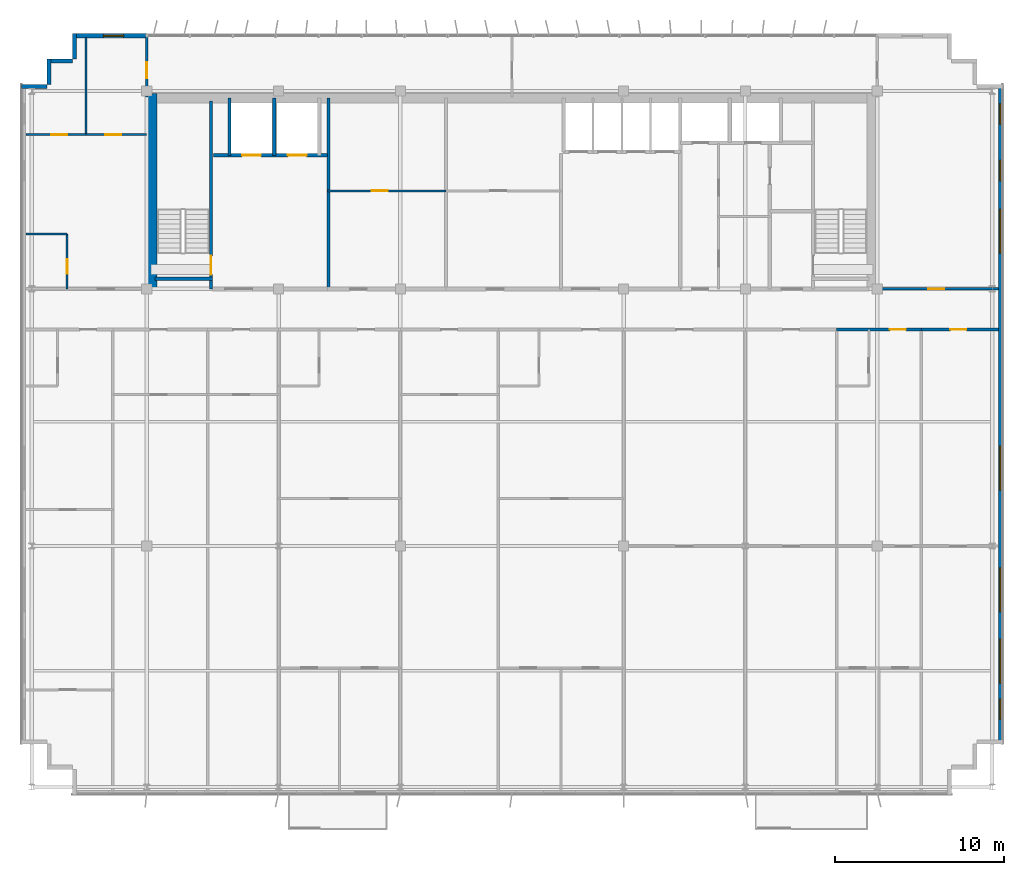
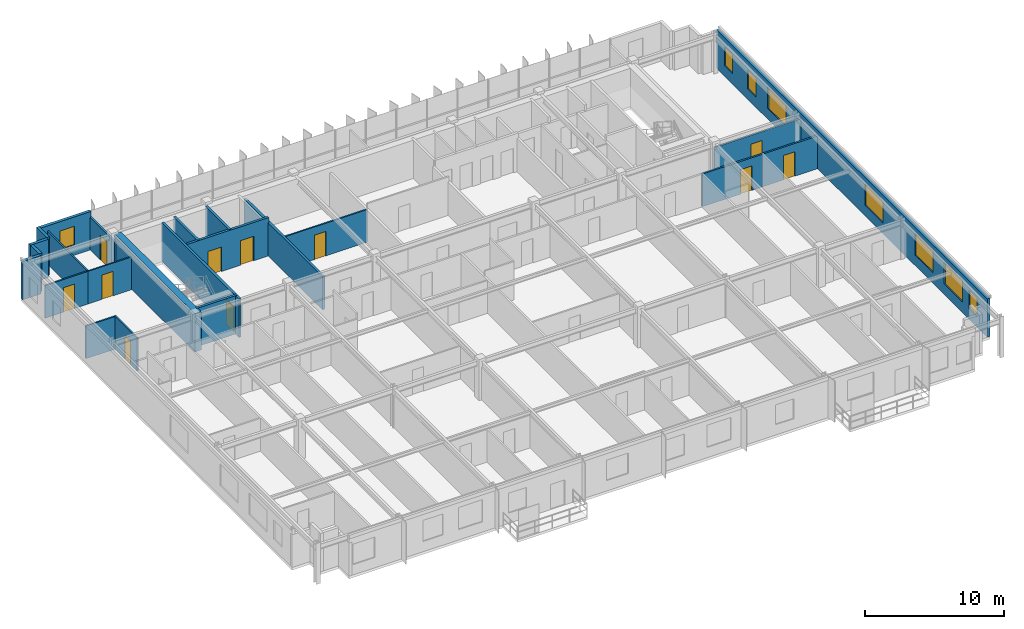
# One storey, part 19 of 23: 23 walls, 11 doors, 8 windows, 19 openings.
"""IFC4 building model written with IfcOpenShell, lengths in metres."""

import ifcopenshell
import ifcopenshell.guid

model = None  # the IFC model being written
_history = None  # IfcOwnerHistory: only IFC2X3 demands one
_inside = {}  # id of a spatial element -> (the spatial element, [elements in it])
_under = {}  # id of a project, library or spatial element -> (it, [spatial elements below it])
_declared = {}  # id of a project -> (the project, [libraries it declares])
_typed = {}  # id of a type object -> (the type object, [elements of that type])
_made_of = {}  # id of a material, layer set ... -> (it, [elements and type objects made of it])


def new_model(schema):
    """Start an empty IFC model of exactly this schema.

    Asked for "IFC4X3", IfcOpenShell would pick the latest addendum, in which some entities
    have other attributes; the version numbers below select the first issue.
    IFC2X3 requires an IfcOwnerHistory on every rooted entity: one is made here for all.
    """
    global model, _history
    if schema == "IFC4X3":
        model = ifcopenshell.file(schema_version=(4, 3, 0, 0))
    else:
        model = ifcopenshell.file(schema=schema)
    _inside.clear()
    _under.clear()
    _declared.clear()
    _typed.clear()
    _made_of.clear()
    _history = None
    if model.schema == "IFC2X3":
        org = make("IfcOrganization", Name="unknown")
        user = make(
            "IfcPersonAndOrganization",
            ThePerson=make("IfcPerson", FamilyName="unknown"),
            TheOrganization=org,
        )
        app = make(
            "IfcApplication",
            ApplicationDeveloper=org,
            Version="unknown",
            ApplicationFullName="unknown",
            ApplicationIdentifier="unknown",
        )
        _history = make(
            "IfcOwnerHistory",
            OwningUser=user,
            OwningApplication=app,
            ChangeAction="ADDED",
            CreationDate=0,
        )
    return model


def make(cls, **values):
    """One entity of the class cls with the attributes given. An attribute that is None is left unset."""
    return model.create_entity(
        cls, **{name: value for name, value in values.items() if value is not None}
    )


def rooted(cls, **values):
    """An entity with a GlobalId (a new one), such as an element, a storey or a relation."""
    return make(cls, GlobalId=ifcopenshell.guid.new(), OwnerHistory=_history, **values)


def si_unit(unit_type, name, prefix=None):
    """IfcSIUnit, for example si_unit("LENGTHUNIT", "METRE", prefix="MILLI")."""
    return make("IfcSIUnit", UnitType=unit_type, Prefix=prefix, Name=name)


def assignment(units):
    """IfcUnitAssignment: the units of a project."""
    return None if units is None else make("IfcUnitAssignment", Units=units)


def point(xyz):
    """IfcCartesianPoint."""
    return None if xyz is None else make("IfcCartesianPoint", Coordinates=xyz)


def direction(xyz):
    """IfcDirection."""
    return None if xyz is None else make("IfcDirection", DirectionRatios=xyz)


def frame(location, z_axis=None, x_axis=None):
    """IfcAxis2Placement3D, a coordinate frame: its origin and axes. An axis left out is left unset."""
    return make(
        "IfcAxis2Placement3D",
        Location=point(location),
        Axis=direction(z_axis),
        RefDirection=direction(x_axis),
    )


def frame_2d(location, x_axis=None):
    """IfcAxis2Placement2D, a coordinate frame in the plane: its origin and x axis."""
    return make(
        "IfcAxis2Placement2D", Location=point(location), RefDirection=direction(x_axis)
    )


def origin():
    """The frame at (0, 0, 0) with its axes left unset."""
    return frame((0.0, 0.0, 0.0))


def place(relative_to, where):
    """IfcLocalPlacement: puts the frame where relative to a parent placement (None: the world)."""
    return make(
        "IfcLocalPlacement", PlacementRelTo=relative_to, RelativePlacement=where
    )


def context(
    kind, dimensions, precision=None, world=None, true_north=None, identifier=None
):
    """IfcGeometricRepresentationContext, for example the 3D "Model" context."""
    return make(
        "IfcGeometricRepresentationContext",
        ContextIdentifier=identifier,
        ContextType=kind,
        CoordinateSpaceDimension=dimensions,
        Precision=precision,
        WorldCoordinateSystem=world,
        TrueNorth=true_north,
    )


def subcontext(parent, identifier, kind, view, scale=None):
    """IfcGeometricRepresentationSubContext, for example "Body" below "Model"."""
    return make(
        "IfcGeometricRepresentationSubContext",
        ContextIdentifier=identifier,
        ContextType=kind,
        ParentContext=parent,
        TargetScale=scale,
        TargetView=view,
    )


def project(units=None, contexts=None):
    """IfcProject with its units and contexts."""
    return rooted(
        "IfcProject",
        Name="project",
        RepresentationContexts=contexts,
        UnitsInContext=assignment(units),
    )


def spatial(cls, under=None, at=None, **own):
    """A site, building, storey or space (cls), placed at a placement, below another one or the project."""
    s = rooted(cls, ObjectPlacement=at, **own)
    if under is not None:
        _under.setdefault(under.id(), (under, []))[1].append(s)
    return s


def profile(cls, at=None, kind="AREA", **sizes):
    """A parametric profile (cls). Its sizes go by their IFC names, for example OverallWidth=200.0."""
    return make(cls, ProfileType=kind, Position=at, **sizes)


def rectangle(**sizes):
    """IfcRectangleProfileDef."""
    return profile("IfcRectangleProfileDef", **sizes)


def extrude(swept, where, along, depth):
    """IfcExtrudedAreaSolid: the profile swept, set in the frame where, extruded along a direction by depth."""
    return make(
        "IfcExtrudedAreaSolid",
        SweptArea=swept,
        Position=where,
        ExtrudedDirection=direction(along),
        Depth=depth,
    )


def shape(context_of_items, identifier, shape_type, items):
    """IfcShapeRepresentation: the items that make up one representation, for example the "Body"."""
    return make(
        "IfcShapeRepresentation",
        ContextOfItems=context_of_items,
        RepresentationIdentifier=identifier,
        RepresentationType=shape_type,
        Items=items,
    )


def source(mapping_origin, context_of_items, identifier, shape_type, items):
    """IfcRepresentationMap: a shape defined once, which mapped items show again and again."""
    return make(
        "IfcRepresentationMap",
        MappingOrigin=mapping_origin,
        MappedRepresentation=shape(context_of_items, identifier, shape_type, items),
    )


def transform(
    local_origin,
    x_axis=None,
    y_axis=None,
    z_axis=None,
    scale=None,
    scale2=None,
    scale3=None,
    uniform=True,
):
    """IfcCartesianTransformationOperator3D, or its non-uniform kind. x_axis, y_axis, z_axis: its Axis1, 2, 3."""
    if uniform:
        return make(
            "IfcCartesianTransformationOperator3D",
            Axis1=direction(x_axis),
            Axis2=direction(y_axis),
            LocalOrigin=point(local_origin),
            Scale=scale,
            Axis3=direction(z_axis),
        )
    return make(
        "IfcCartesianTransformationOperator3DnonUniform",
        Axis1=direction(x_axis),
        Axis2=direction(y_axis),
        LocalOrigin=point(local_origin),
        Scale=scale,
        Axis3=direction(z_axis),
        Scale2=scale2,
        Scale3=scale3,
    )


def mapped(mapping_source, mapping_target):
    """IfcMappedItem: shows the shape of a source again, moved by a transform."""
    return make(
        "IfcMappedItem", MappingSource=mapping_source, MappingTarget=mapping_target
    )


def material(Name=None, Category=None):
    """IfcMaterial."""
    return make("IfcMaterial", Name=Name, Category=Category)


def layer(
    of_material, thickness, ventilated=None, Name=None, Category=None, Priority=None
):
    """IfcMaterialLayer: one layer of a wall or slab, of a material (None: an air gap)."""
    return make(
        "IfcMaterialLayer",
        Material=of_material,
        LayerThickness=thickness,
        IsVentilated=ventilated,
        Name=Name,
        Category=Category,
        Priority=Priority,
    )


def layer_set(layers, Name=None):
    """IfcMaterialLayerSet."""
    return make("IfcMaterialLayerSet", MaterialLayers=layers, LayerSetName=Name)


def made_of(thing, what):
    """Note that an element or type object is made of a material, layer set ...; save() writes the relation."""
    if what is not None:
        _made_of.setdefault(what.id(), (what, []))[1].append(thing)
    return thing


def type_object(cls, material=None, **own):
    """A type object (cls), such as IfcWallType, which elements share."""
    return made_of(rooted(cls, **own), material)


def element(
    cls,
    number,
    at=None,
    inside=None,
    cuts=None,
    type_object=None,
    material=None,
    context=None,
    identifier="Body",
    shape_type=None,
    held_by="IfcProductDefinitionShape",
    body=None,
    shapes=None,
    **own,
):
    """One element of the class cls, such as IfcWall. Its Tag is "e" and its number.

    at: its placement. inside: the storey or other place that contains it. cuts: it is an
    opening in that element (IfcRelVoidsElement). A single representation is given by context,
    identifier, shape_type and body (its items); several are given by shapes. held_by: the class
    of the entity that holds the representations. save() writes the other relations.
    """
    e = rooted(cls, Tag="e%d" % number, ObjectPlacement=at, **own)
    if body is not None:
        shapes = [shape(context, identifier, shape_type, body)]
    if shapes is not None:
        e.Representation = make(held_by, Representations=shapes)
    if inside is not None:
        _inside.setdefault(inside.id(), (inside, []))[1].append(e)
    if cuts is not None:
        rooted(
            "IfcRelVoidsElement", RelatingBuildingElement=cuts, RelatedOpeningElement=e
        )
    if type_object is not None:
        _typed.setdefault(type_object.id(), (type_object, []))[1].append(e)
    return made_of(e, material)


def fill(opening, filler):
    """IfcRelFillsElement: the door or window that sits in an opening."""
    return rooted(
        "IfcRelFillsElement",
        RelatingOpeningElement=opening,
        RelatedBuildingElement=filler,
    )


def aggregate(whole, parts):
    """IfcRelAggregates: a whole, such as a stair, and the parts it consists of."""
    return rooted("IfcRelAggregates", RelatingObject=whole, RelatedObjects=parts)


def save(model, path):
    """Write the relations noted so far, then the file.

    IfcRelAggregates (storeys below a building ...), IfcRelContainedInSpatialStructure (elements
    in a storey), IfcRelDefinesByType, IfcRelAssociatesMaterial and IfcRelDeclares: one each for
    every whole, place, type object, material and project.
    """
    for whole, parts in _under.values():
        aggregate(whole, parts)
    for where, things in _inside.values():
        rooted(
            "IfcRelContainedInSpatialStructure",
            RelatedElements=things,
            RelatingStructure=where,
        )
    for kind, things in _typed.values():
        rooted("IfcRelDefinesByType", RelatedObjects=things, RelatingType=kind)
    for what, things in _made_of.values():
        rooted("IfcRelAssociatesMaterial", RelatedObjects=things, RelatingMaterial=what)
    for by, libraries in _declared.values():
        rooted("IfcRelDeclares", RelatingContext=by, RelatedDefinitions=libraries)
    model.write(path)


model = new_model("IFC4")

# Units and contexts
model_context = context("Model", 3, precision=1e-05, world=origin(), true_north=direction((0.0, 1.0)))
body_context = subcontext(model_context, "Body", "Model", "MODEL_VIEW")
ifc_project = project(units=[si_unit("LENGTHUNIT", "METRE"), si_unit("AREAUNIT", "SQUARE_METRE"), si_unit("VOLUMEUNIT", "CUBIC_METRE"), si_unit("PLANEANGLEUNIT", "RADIAN"), si_unit("MASSUNIT", "GRAM", prefix="KILO")], contexts=[model_context])

# Site, building, storey
site_placement = place(None, origin())
site = spatial("IfcSite", under=ifc_project, at=site_placement, CompositionType="ELEMENT")
building_placement = place(site_placement, origin())
building = spatial("IfcBuilding", under=site, at=building_placement, Name="Trelvane Seafront Commons", CompositionType="ELEMENT")
storey_placement = place(building_placement, frame((0.0, 0.0, 263.10009765625)))
storey = spatial("IfcBuildingStorey", under=building, at=storey_placement, Name="L68", CompositionType="ELEMENT", Elevation=263.10009765625)

# Wall, opening, window
ifc_material_1 = material(Name="Precast concrete C40/50", Category="concrete")
ifc_layer_1 = layer(ifc_material_1, 0.239990234375, Name="ARCH-WALL-EXT240")
ifc_layer_set_1 = layer_set([ifc_layer_1], Name="Precast concrete C40/50")
wall_type_1 = type_object("IfcWallType", Name="ARCH-WALL-EXT240", PredefinedType="SOLIDWALL", material=ifc_layer_set_1)
wall_1_placement = place(storey_placement, frame((11.300048828125, 48.3701171875, 0.0), z_axis=(0.0, 0.0, 1.0), x_axis=(1.0, 0.0, 0.0)))
wall_1 = element("IfcWall", 1, at=wall_1_placement, inside=storey, type_object=wall_type_1, Name="EW-L68-NW-1361", PredefinedType="SOLIDWALL", context=body_context, shape_type="SweptSolid", body=[
    extrude(rectangle(XDim=4.300048828125, YDim=0.239990234375, at=frame_2d((2.14990234375, 0.0))), origin(), (0.0, 0.0, 1.0), 3.369873046875),
])
opening_1_placement = place(wall_1_placement, frame((1.73388671875, 0.0, 0.89990234375)))
opening_1 = element("IfcOpeningElement", 2, at=opening_1_placement, cuts=wall_1, Name="Opening W05", PredefinedType="OPENING", context=body_context, shape_type="SweptSolid", body=[
    extrude(rectangle(XDim=1.199951171875, YDim=1.64990234375, at=frame_2d((0.60009765625, 0.824951171875))), frame((0.0, 0.1298828125, 0.0), z_axis=(0.0, -1.0, 0.0), x_axis=(1.0, 0.0, 0.0)), (0.0, 0.0, 1.0), 0.260009765625),
])
ifc_material_2 = material(Name="Low-E coastal double glazing", Category="glass")
window_type_1 = type_object("IfcWindowType", Name="ARCH-WIN-W05", PartitioningType="SINGLE_PANEL", PredefinedType="WINDOW", material=ifc_material_2)
shared_shape_1 = source(origin(), body_context, "Body", "SweptSolid", [
    extrude(rectangle(XDim=1.199951171875, YDim=1.64990234375, at=frame_2d((0.60009765625, 0.824951171875))), frame((0.0, 0.030029296875, 0.0), z_axis=(0.0, -1.0, 0.0), x_axis=(1.0, 0.0, 0.0)), (0.0, 0.0, 1.0), 0.06005859375),
])
window_1_placement = place(opening_1_placement, origin())
window_1 = element("IfcWindow", 3, at=window_1_placement, inside=storey, type_object=window_type_1, Name="WIN-L68-01620", OverallHeight=1.64990234375, OverallWidth=1.199951171875, PartitioningType="SINGLE_PANEL", PredefinedType="WINDOW", context=body_context, shape_type="MappedRepresentation", body=[
    mapped(shared_shape_1, transform((0.0, 0.0, 0.0), x_axis=(1.0, 0.0, 0.0), y_axis=(0.0, 1.0, 0.0), z_axis=(0.0, 0.0, 1.0), scale=1.0)),
])
fill(opening_1, window_1)

# Walls
for number, where, z_axis, x_axis, name in (
    (4, (8.199951171875, 45.3798828125, 0.0), (0.0, 0.0, 1.0), (1.0, 0.0, 0.0), "EW-L68-01367"),
    (5, (9.820068359375, 45.5, 0.0), (0.0, 0.0, 1.0), (0.0, 1.0, 0.0), "EW-L68-01368"),
    (6, (9.699951171875, 46.8798828125, 0.0), (0.0, 0.0, 1.0), (1.0, 0.0, 0.0), "EW-L68-01369"),
    (7, (11.320068359375, 47.0, 0.0), (0.0, 0.0, 1.0), (0.0, 1.0, 0.0), "EW-L68-01370"),
):
    element("IfcWall", number, at=place(storey_placement, frame(where, z_axis=z_axis, x_axis=x_axis)), inside=storey, type_object=wall_type_1, Name=name, PredefinedType="SOLIDWALL", context=body_context, shape_type="SweptSolid", body=[
        extrude(rectangle(XDim=1.5, YDim=0.239990234375, at=frame_2d((0.75, 0.0))), origin(), (0.0, 0.0, 1.0), 3.369873046875),
    ])

# Wall, openings, windows
wall_2_placement = place(storey_placement, frame((66.080078125, 45.5, 0.0), z_axis=(0.0, 0.0, 1.0), x_axis=(0.0, -1.0, 0.0)))
wall_2 = element("IfcWall", 8, at=wall_2_placement, inside=storey, type_object=wall_type_1, Name="EW-L68-01375", PredefinedType="SOLIDWALL", context=body_context, shape_type="SweptSolid", body=[
    extrude(rectangle(XDim=39.0, YDim=0.239990234375, at=frame_2d((19.5, 0.0))), origin(), (0.0, 0.0, 1.0), 3.369873046875),
])
opening_2_placement = place(wall_2_placement, frame((36.35009765625, 0.0, 0.919921875)))
opening_2 = element("IfcOpeningElement", 9, at=opening_2_placement, cuts=wall_2, Name="Opening W05", PredefinedType="OPENING", context=body_context, shape_type="SweptSolid", body=[
    extrude(rectangle(XDim=1.199951171875, YDim=1.64990234375, at=frame_2d((0.60009765625, 0.824951171875))), frame((0.0, 0.1298828125, 0.0), z_axis=(0.0, -1.0, 0.0), x_axis=(1.0, 0.0, 0.0)), (0.0, 0.0, 1.0), 0.260009765625),
])
opening_3_placement = place(wall_2_placement, frame((32.800048828125, 0.0, 0.919921875)))
opening_3 = element("IfcOpeningElement", 10, at=opening_3_placement, cuts=wall_2, Name="Opening W04", PredefinedType="OPENING", context=body_context, shape_type="SweptSolid", body=[
    extrude(rectangle(XDim=2.60009765625, YDim=1.89990234375, at=frame_2d((1.300048828125, 0.949951171875))), frame((0.0, 0.1298828125, 0.0), z_axis=(0.0, -1.0, 0.0), x_axis=(1.0, 0.0, 0.0)), (0.0, 0.0, 1.0), 0.260009765625),
])
opening_4_placement = place(wall_2_placement, frame((28.60009765625, 0.0, 0.919921875)))
opening_4 = element("IfcOpeningElement", 11, at=opening_4_placement, cuts=wall_2, Name="Opening W04", PredefinedType="OPENING", context=body_context, shape_type="SweptSolid", body=[
    extrude(rectangle(XDim=2.60009765625, YDim=1.89990234375, at=frame_2d((1.300048828125, 0.949951171875))), frame((0.0, 0.1298828125, 0.0), z_axis=(0.0, -1.0, 0.0), x_axis=(1.0, 0.0, 0.0)), (0.0, 0.0, 1.0), 0.260009765625),
])
opening_5_placement = place(wall_2_placement, frame((21.39990234375, 0.0, 0.919921875)))
opening_5 = element("IfcOpeningElement", 12, at=opening_5_placement, cuts=wall_2, Name="Opening W04", PredefinedType="OPENING", context=body_context, shape_type="SweptSolid", body=[
    extrude(rectangle(XDim=2.60009765625, YDim=1.89990234375, at=frame_2d((1.300048828125, 0.949951171875))), frame((0.0, 0.1298828125, 0.0), z_axis=(0.0, -1.0, 0.0), x_axis=(1.0, 0.0, 0.0)), (0.0, 0.0, 1.0), 0.260009765625),
])
opening_6_placement = place(wall_2_placement, frame((7.39990234375, 0.0, 0.919921875)))
opening_6 = element("IfcOpeningElement", 13, at=opening_6_placement, cuts=wall_2, Name="Opening W04", PredefinedType="OPENING", context=body_context, shape_type="SweptSolid", body=[
    extrude(rectangle(XDim=2.60009765625, YDim=1.89990234375, at=frame_2d((1.300048828125, 0.949951171875))), frame((0.0, 0.1298828125, 0.0), z_axis=(0.0, -1.0, 0.0), x_axis=(1.0, 0.0, 0.0)), (0.0, 0.0, 1.0), 0.260009765625),
])
opening_7_placement = place(wall_2_placement, frame((4.5, 0.0, 0.919921875)))
opening_7 = element("IfcOpeningElement", 14, at=opening_7_placement, cuts=wall_2, Name="Opening W05", PredefinedType="OPENING", context=body_context, shape_type="SweptSolid", body=[
    extrude(rectangle(XDim=1.199951171875, YDim=1.64990234375, at=frame_2d((0.60009765625, 0.824951171875))), frame((0.0, 0.1298828125, 0.0), z_axis=(0.0, -1.0, 0.0), x_axis=(1.0, 0.0, 0.0)), (0.0, 0.0, 1.0), 0.260009765625),
])
opening_8_placement = place(wall_2_placement, frame((1.14990234375, 0.0, 0.919921875)))
opening_8 = element("IfcOpeningElement", 15, at=opening_8_placement, cuts=wall_2, Name="Opening W05", PredefinedType="OPENING", context=body_context, shape_type="SweptSolid", body=[
    extrude(rectangle(XDim=1.199951171875, YDim=1.64990234375, at=frame_2d((0.60009765625, 0.824951171875))), frame((0.0, 0.1298828125, 0.0), z_axis=(0.0, -1.0, 0.0), x_axis=(1.0, 0.0, 0.0)), (0.0, 0.0, 1.0), 0.260009765625),
])
window_type_2 = type_object("IfcWindowType", Name="ARCH-WIN-W04", PartitioningType="SINGLE_PANEL", PredefinedType="WINDOW", material=ifc_material_2)
shared_shape_2 = source(origin(), body_context, "Body", "SweptSolid", [
    extrude(rectangle(XDim=2.60009765625, YDim=1.89990234375, at=frame_2d((1.300048828125, 0.949951171875))), frame((0.0, 0.030029296875, 0.0), z_axis=(0.0, -1.0, 0.0), x_axis=(1.0, 0.0, 0.0)), (0.0, 0.0, 1.0), 0.06005859375),
])
window_2_placement = place(opening_3_placement, origin())
window_2 = element("IfcWindow", 16, at=window_2_placement, inside=storey, type_object=window_type_2, Name="WIN-L68-EW-01629", OverallHeight=1.89990234375, OverallWidth=2.60009765625, PartitioningType="SINGLE_PANEL", PredefinedType="WINDOW", context=body_context, shape_type="MappedRepresentation", body=[
    mapped(shared_shape_2, transform((0.0, 0.0, 0.0), x_axis=(1.0, 0.0, 0.0), y_axis=(0.0, 1.0, 0.0), z_axis=(0.0, 0.0, 1.0), scale=1.0)),
])
fill(opening_3, window_2)
window_3_placement = place(opening_4_placement, origin())
window_3 = element("IfcWindow", 17, at=window_3_placement, inside=storey, type_object=window_type_2, Name="WIN-L68-EW-01630", OverallHeight=1.89990234375, OverallWidth=2.60009765625, PartitioningType="SINGLE_PANEL", PredefinedType="WINDOW", context=body_context, shape_type="MappedRepresentation", body=[
    mapped(shared_shape_2, transform((0.0, 0.0, 0.0), x_axis=(1.0, 0.0, 0.0), y_axis=(0.0, 1.0, 0.0), z_axis=(0.0, 0.0, 1.0), scale=1.0)),
])
fill(opening_4, window_3)
window_4_placement = place(opening_5_placement, origin())
window_4 = element("IfcWindow", 18, at=window_4_placement, inside=storey, type_object=window_type_2, Name="WIN-L68-EW-01631", OverallHeight=1.89990234375, OverallWidth=2.60009765625, PartitioningType="SINGLE_PANEL", PredefinedType="WINDOW", context=body_context, shape_type="MappedRepresentation", body=[
    mapped(shared_shape_2, transform((0.0, 0.0, 0.0), x_axis=(1.0, 0.0, 0.0), y_axis=(0.0, 1.0, 0.0), z_axis=(0.0, 0.0, 1.0), scale=1.0)),
])
fill(opening_5, window_4)
window_5_placement = place(opening_6_placement, origin())
window_5 = element("IfcWindow", 19, at=window_5_placement, inside=storey, type_object=window_type_2, Name="WIN-L68-EW-01632", OverallHeight=1.89990234375, OverallWidth=2.60009765625, PartitioningType="SINGLE_PANEL", PredefinedType="WINDOW", context=body_context, shape_type="MappedRepresentation", body=[
    mapped(shared_shape_2, transform((0.0, 0.0, 0.0), x_axis=(1.0, 0.0, 0.0), y_axis=(0.0, 1.0, 0.0), z_axis=(0.0, 0.0, 1.0), scale=1.0)),
])
fill(opening_6, window_5)
window_6_placement = place(opening_2_placement, origin())
window_6 = element("IfcWindow", 20, at=window_6_placement, inside=storey, type_object=window_type_1, Name="WIN-L68-EW-01628", OverallHeight=1.64990234375, OverallWidth=1.199951171875, PartitioningType="SINGLE_PANEL", PredefinedType="WINDOW", context=body_context, shape_type="MappedRepresentation", body=[
    mapped(shared_shape_1, transform((0.0, 0.0, 0.0), x_axis=(1.0, 0.0, 0.0), y_axis=(0.0, 1.0, 0.0), z_axis=(0.0, 0.0, 1.0), scale=1.0)),
])
fill(opening_2, window_6)
window_7_placement = place(opening_7_placement, origin())
window_7 = element("IfcWindow", 21, at=window_7_placement, inside=storey, type_object=window_type_1, Name="WIN-L68-EW-01633", OverallHeight=1.64990234375, OverallWidth=1.199951171875, PartitioningType="SINGLE_PANEL", PredefinedType="WINDOW", context=body_context, shape_type="MappedRepresentation", body=[
    mapped(shared_shape_1, transform((0.0, 0.0, 0.0), x_axis=(1.0, 0.0, 0.0), y_axis=(0.0, 1.0, 0.0), z_axis=(0.0, 0.0, 1.0), scale=1.0)),
])
fill(opening_7, window_7)
window_8_placement = place(opening_8_placement, origin())
window_8 = element("IfcWindow", 22, at=window_8_placement, inside=storey, type_object=window_type_1, Name="WIN-L68-EW-01634", OverallHeight=1.64990234375, OverallWidth=1.199951171875, PartitioningType="SINGLE_PANEL", PredefinedType="WINDOW", context=body_context, shape_type="MappedRepresentation", body=[
    mapped(shared_shape_1, transform((0.0, 0.0, 0.0), x_axis=(1.0, 0.0, 0.0), y_axis=(0.0, 1.0, 0.0), z_axis=(0.0, 0.0, 1.0), scale=1.0)),
])
fill(opening_8, window_8)

# Wall, opening, door
ifc_material_3 = material(Name="Gypsum Drywall Acoustic Partition")
ifc_layer_2 = layer(ifc_material_3, 0.1201171875, Name="ARCH-WALL-PART120")
ifc_layer_set_2 = layer_set([ifc_layer_2], Name="Gypsum Drywall Acoustic Partition")
wall_type_2 = type_object("IfcWallType", Name="ARCH-WALL-PART120", PredefinedType="PARTITIONING", material=ifc_layer_set_2)
wall_3_placement = place(storey_placement, frame((26.300048828125, 39.199951171875, 0.0), z_axis=(0.0, 0.0, 1.0), x_axis=(1.0, 0.0, 0.0)))
wall_3 = element("IfcWall", 23, at=wall_3_placement, inside=storey, type_object=wall_type_2, Name="W-L68-FREED-PL-MID-014", PredefinedType="PARTITIONING", context=body_context, shape_type="SweptSolid", body=[
    extrude(rectangle(XDim=7.0, YDim=0.1201171875, at=frame_2d((3.5, 0.0))), origin(), (0.0, 0.0, 1.0), 2.869873046875),
])
opening_9_placement = place(wall_3_placement, frame((2.60009765625, 0.0, 0.0)))
opening_9 = element("IfcOpeningElement", 24, at=opening_9_placement, cuts=wall_3, Name="Opening D-L68-06", PredefinedType="OPENING", context=body_context, shape_type="SweptSolid", body=[
    extrude(rectangle(XDim=0.949951171875, YDim=2.14990234375, at=frame_2d((0.47509765625, 1.074951171875))), frame((0.0, 0.070068359375, 0.0), z_axis=(0.0, -1.0, 0.0), x_axis=(1.0, 0.0, 0.0)), (0.0, 0.0, 1.0), 0.14013671875),
])
ifc_material_4 = material(Name="Acoustic timber door leaf", Category="wood")
door_type_1 = type_object("IfcDoorType", Name="ARCH-DR-INT950", OperationType="NOTDEFINED", PredefinedType="DOOR", material=ifc_material_4)
shared_shape_3 = source(origin(), body_context, "Body", "SweptSolid", [
    extrude(rectangle(XDim=0.949951171875, YDim=2.14990234375, at=frame_2d((0.47509765625, 1.074951171875))), frame((0.0, 0.02490234375, 0.0), z_axis=(0.0, -1.0, 0.0), x_axis=(1.0, 0.0, 0.0)), (0.0, 0.0, 1.0), 0.050048828125),
])
door_1_placement = place(opening_9_placement, origin())
door_1 = element("IfcDoor", 25, at=door_1_placement, inside=storey, type_object=door_type_1, Name="L68 Housekeeping Store Door", OperationType="SINGLE_SWING_RIGHT", OverallHeight=2.14990234375, OverallWidth=0.949951171875, PredefinedType="DOOR", context=body_context, shape_type="MappedRepresentation", body=[
    mapped(shared_shape_3, transform((0.0, 0.0, 0.0), x_axis=(1.0, 0.0, 0.0), y_axis=(0.0, 1.0, 0.0), z_axis=(0.0, 0.0, 1.0), scale=1.0)),
])
fill(opening_9, door_1)

wall_4_placement = place(storey_placement, frame((10.89990234375, 33.39990234375, 0.0), z_axis=(0.0, 0.0, 1.0), x_axis=(0.0, 1.0, 0.0)))
wall_4 = element("IfcWall", 26, at=wall_4_placement, inside=storey, type_object=wall_type_2, Name="W-L68-NW-BE-035", PredefinedType="PARTITIONING", context=body_context, shape_type="SweptSolid", body=[
    extrude(rectangle(XDim=3.25, YDim=0.1201171875, at=frame_2d((1.625, 0.0))), origin(), (0.0, 0.0, 1.0), 2.919921875),
])
opening_10_placement = place(wall_4_placement, frame((0.89990234375, 0.0, 0.0)))
opening_10 = element("IfcOpeningElement", 27, at=opening_10_placement, cuts=wall_4, Name="Opening D-L68-22", PredefinedType="OPENING", context=body_context, shape_type="SweptSolid", body=[
    extrude(rectangle(XDim=0.85009765625, YDim=2.10009765625, at=frame_2d((0.425048828125, 1.050048828125))), frame((0.0, 0.070068359375, 0.0), z_axis=(0.0, -1.0, 0.0), x_axis=(1.0, 0.0, 0.0)), (0.0, 0.0, 1.0), 0.14013671875),
])
door_type_2 = type_object("IfcDoorType", Name="ARCH-DR-INT850", OperationType="NOTDEFINED", PredefinedType="DOOR", material=ifc_material_4)
shared_shape_4 = source(origin(), body_context, "Body", "SweptSolid", [
    extrude(rectangle(XDim=0.85009765625, YDim=2.10009765625, at=frame_2d((0.425048828125, 1.050048828125))), frame((0.0, 0.02490234375, 0.0), z_axis=(0.0, -1.0, 0.0), x_axis=(1.0, 0.0, 0.0)), (0.0, 0.0, 1.0), 0.050048828125),
])
door_2_placement = place(opening_10_placement, origin())
door_2 = element("IfcDoor", 28, at=door_2_placement, inside=storey, type_object=door_type_2, Name="L68 Door 22", OperationType="SINGLE_SWING_RIGHT", OverallHeight=2.10009765625, OverallWidth=0.85009765625, PredefinedType="DOOR", context=body_context, shape_type="MappedRepresentation", body=[
    mapped(shared_shape_4, transform((0.0, 0.0, 0.0), x_axis=(1.0, 0.0, 0.0), y_axis=(0.0, 1.0, 0.0), z_axis=(0.0, 0.0, 1.0), scale=1.0)),
])
fill(opening_10, door_2)

# Wall
wall_5_placement = place(storey_placement, frame((8.449951171875, 36.64990234375, 0.0), z_axis=(0.0, 0.0, 1.0), x_axis=(1.0, 0.0, 0.0)))
element("IfcWall", 29, at=wall_5_placement, inside=storey, type_object=wall_type_2, Name="W-L68-NW-BN-036", PredefinedType="PARTITIONING", context=body_context, shape_type="SweptSolid", body=[
    extrude(rectangle(XDim=2.449951171875, YDim=0.1201171875, at=frame_2d((1.22509765625, 0.0))), origin(), (0.0, 0.0, 1.0), 2.869873046875),
])

# Wall, opening, door
wall_6_placement = place(storey_placement, frame((8.449951171875, 42.52001953125, 0.0), z_axis=(0.0, 0.0, 1.0), x_axis=(1.0, 0.0, 0.0)))
wall_6 = element("IfcWall", 30, at=wall_6_placement, inside=storey, type_object=wall_type_2, Name="W-L68-NW-KB1-037", PredefinedType="PARTITIONING", context=body_context, shape_type="SweptSolid", body=[
    extrude(rectangle(XDim=3.574951171875, YDim=0.1201171875, at=frame_2d((1.78759765625, 0.0))), origin(), (0.0, 0.0, 1.0), 2.869873046875),
])
opening_11_placement = place(wall_6_placement, frame((1.4990234375, 0.0, 0.0)))
opening_11 = element("IfcOpeningElement", 31, at=opening_11_placement, cuts=wall_6, Name="Opening D-L68-23", PredefinedType="OPENING", context=body_context, shape_type="SweptSolid", body=[
    extrude(rectangle(XDim=0.949951171875, YDim=2.14990234375, at=frame_2d((0.47509765625, 1.074951171875))), frame((0.0, 0.070068359375, 0.0), z_axis=(0.0, -1.0, 0.0), x_axis=(1.0, 0.0, 0.0)), (0.0, 0.0, 1.0), 0.14013671875),
])
door_3_placement = place(opening_11_placement, origin())
door_3 = element("IfcDoor", 32, at=door_3_placement, inside=storey, type_object=door_type_1, Name="L68 Door 23", OperationType="SINGLE_SWING_LEFT", OverallHeight=2.14990234375, OverallWidth=0.949951171875, PredefinedType="DOOR", context=body_context, shape_type="MappedRepresentation", body=[
    mapped(shared_shape_3, transform((0.0, 0.0, 0.0), x_axis=(1.0, 0.0, 0.0), y_axis=(0.0, 1.0, 0.0), z_axis=(0.0, 0.0, 1.0), scale=1.0)),
])
fill(opening_11, door_3)

wall_7_placement = place(storey_placement, frame((12.02490234375, 42.52001953125, 0.0), z_axis=(0.0, 0.0, 1.0), x_axis=(1.0, 0.0, 0.0)))
wall_7 = element("IfcWall", 33, at=wall_7_placement, inside=storey, type_object=wall_type_2, Name="W-L68-NW-KB2-038", PredefinedType="PARTITIONING", context=body_context, shape_type="SweptSolid", body=[
    extrude(rectangle(XDim=3.5751953125, YDim=0.1201171875, at=frame_2d((1.78759765625, 0.0))), origin(), (0.0, 0.0, 1.0), 2.869873046875),
])
opening_12_placement = place(wall_7_placement, frame((1.1259765625, 0.0, 0.0)))
opening_12 = element("IfcOpeningElement", 34, at=opening_12_placement, cuts=wall_7, Name="Opening D-L68-24", PredefinedType="OPENING", context=body_context, shape_type="SweptSolid", body=[
    extrude(rectangle(XDim=0.949951171875, YDim=2.14990234375, at=frame_2d((0.47509765625, 1.074951171875))), frame((0.0, 0.070068359375, 0.0), z_axis=(0.0, -1.0, 0.0), x_axis=(1.0, 0.0, 0.0)), (0.0, 0.0, 1.0), 0.14013671875),
])
door_4_placement = place(opening_12_placement, origin())
door_4 = element("IfcDoor", 35, at=door_4_placement, inside=storey, type_object=door_type_1, Name="L68 Door 24", OperationType="SINGLE_SWING_RIGHT", OverallHeight=2.14990234375, OverallWidth=0.949951171875, PredefinedType="DOOR", context=body_context, shape_type="MappedRepresentation", body=[
    mapped(shared_shape_3, transform((0.0, 0.0, 0.0), x_axis=(1.0, 0.0, 0.0), y_axis=(0.0, 1.0, 0.0), z_axis=(0.0, 0.0, 1.0), scale=1.0)),
])
fill(opening_12, door_4)

# Wall
wall_8_placement = place(storey_placement, frame((12.02490234375, 42.52001953125, 0.0), z_axis=(0.0, 0.0, 1.0), x_axis=(0.0, 1.0, 0.0)))
element("IfcWall", 36, at=wall_8_placement, inside=storey, type_object=wall_type_2, Name="W-L68-NW-KBDV-039", PredefinedType="PARTITIONING", context=body_context, shape_type="SweptSolid", body=[
    extrude(rectangle(XDim=5.739990234375, YDim=0.1201171875, at=frame_2d((2.8701171875, 0.0))), origin(), (0.0, 0.0, 1.0), 2.919921875),
])

# Wall, opening, door
ifc_layer_3 = layer(ifc_material_3, 0.14990234375, Name="ARCH-WALL-PART150")
ifc_layer_set_3 = layer_set([ifc_layer_3], Name="Gypsum Drywall Acoustic Partition")
wall_type_3 = type_object("IfcWallType", Name="ARCH-WALL-PART150", PredefinedType="PARTITIONING", material=ifc_layer_set_3)
wall_9_placement = place(storey_placement, frame((58.800048828125, 33.39990234375, 0.0), z_axis=(0.0, 0.0, 1.0), x_axis=(1.0, 0.0, 0.0)))
wall_9 = element("IfcWall", 37, at=wall_9_placement, inside=storey, type_object=wall_type_3, Name="W-L68-NE-ENT-041", PredefinedType="PARTITIONING", context=body_context, shape_type="SweptSolid", body=[
    extrude(rectangle(XDim=7.14990234375, YDim=0.14990234375, at=frame_2d((3.574951171875, 0.0))), origin(), (0.0, 0.0, 1.0), 2.919921875),
])
opening_13_placement = place(wall_9_placement, frame((3.0, 0.0, 0.0)))
opening_13 = element("IfcOpeningElement", 38, at=opening_13_placement, cuts=wall_9, Name="Opening FD-L68-26", PredefinedType="OPENING", context=body_context, shape_type="SweptSolid", body=[
    extrude(rectangle(XDim=0.949951171875, YDim=2.14990234375, at=frame_2d((0.47509765625, 1.074951171875))), frame((0.0, 0.0849609375, 0.0), z_axis=(0.0, -1.0, 0.0), x_axis=(1.0, 0.0, 0.0)), (0.0, 0.0, 1.0), 0.169921875),
])
ifc_material_5 = material(Name="Powder-coated aluminium frame", Category="aluminium")
door_type_3 = type_object("IfcDoorType", Name="ARCH-DR-FD60-950", OperationType="NOTDEFINED", PredefinedType="DOOR", material=ifc_material_5)
door_5_placement = place(opening_13_placement, origin())
door_5 = element("IfcDoor", 39, at=door_5_placement, inside=storey, type_object=door_type_3, Name="L68 NE Suite Entrance Door", OperationType="SINGLE_SWING_RIGHT", OverallHeight=2.14990234375, OverallWidth=0.949951171875, PredefinedType="DOOR", context=body_context, shape_type="MappedRepresentation", body=[
    mapped(shared_shape_3, transform((0.0, 0.0, 0.0), x_axis=(1.0, 0.0, 0.0), y_axis=(0.0, 1.0, 0.0), z_axis=(0.0, 0.0, 1.0), scale=1.0)),
])
fill(opening_13, door_5)

wall_10_placement = place(storey_placement, frame((15.60009765625, 44.75, 0.0), z_axis=(0.0, 0.0, 1.0), x_axis=(0.0, 1.0, 0.0)))
wall_10 = element("IfcWall", 40, at=wall_10_placement, inside=storey, type_object=wall_type_3, Name="W-L68-N-LINK-W-043", PredefinedType="PARTITIONING", context=body_context, shape_type="SweptSolid", body=[
    extrude(rectangle(XDim=3.610107421875, YDim=0.14990234375, at=frame_2d((1.80517578125, 0.0))), origin(), (0.0, 0.0, 1.0), 2.869873046875),
])
opening_14_placement = place(wall_10_placement, frame((1.10009765625, 0.0, 0.0)))
opening_14 = element("IfcOpeningElement", 41, at=opening_14_placement, cuts=wall_10, Name="Opening FD-L68-28", PredefinedType="OPENING", context=body_context, shape_type="SweptSolid", body=[
    extrude(rectangle(XDim=0.949951171875, YDim=2.14990234375, at=frame_2d((0.47509765625, 1.074951171875))), frame((0.0, 0.0849609375, 0.0), z_axis=(0.0, -1.0, 0.0), x_axis=(1.0, 0.0, 0.0)), (0.0, 0.0, 1.0), 0.169921875),
])
door_6_placement = place(opening_14_placement, origin())
door_6 = element("IfcDoor", 42, at=door_6_placement, inside=storey, type_object=door_type_3, Name="L68 Door 28", OperationType="SINGLE_SWING_RIGHT", OverallHeight=2.14990234375, OverallWidth=0.949951171875, PredefinedType="DOOR", context=body_context, shape_type="MappedRepresentation", body=[
    mapped(shared_shape_3, transform((0.0, 0.0, 0.0), x_axis=(1.0, 0.0, 0.0), y_axis=(0.0, 1.0, 0.0), z_axis=(0.0, 0.0, 1.0), scale=1.0)),
])
fill(opening_14, door_6)

wall_11_placement = place(storey_placement, frame((56.39990234375, 31.0, 0.0), z_axis=(0.0, 0.0, 1.0), x_axis=(1.0, 0.0, 0.0)))
wall_11 = element("IfcWall", 43, at=wall_11_placement, inside=storey, type_object=wall_type_3, Name="W-L68-CS-BAY-9-086", PredefinedType="PARTITIONING", context=body_context, shape_type="SweptSolid", body=[
    extrude(rectangle(XDim=5.0, YDim=0.14990234375, at=frame_2d((2.5, 0.0))), origin(), (0.0, 0.0, 1.0), 2.869873046875),
])
opening_15_placement = place(wall_11_placement, frame((3.14404296875, 0.0, 0.0)))
opening_15 = element("IfcOpeningElement", 44, at=opening_15_placement, cuts=wall_11, Name="Opening FD-L68-56", PredefinedType="OPENING", context=body_context, shape_type="SweptSolid", body=[
    extrude(rectangle(XDim=0.949951171875, YDim=2.14990234375, at=frame_2d((0.47509765625, 1.074951171875))), frame((0.0, 0.0849609375, 0.0), z_axis=(0.0, -1.0, 0.0), x_axis=(1.0, 0.0, 0.0)), (0.0, 0.0, 1.0), 0.169921875),
])
door_7_placement = place(opening_15_placement, origin())
door_7 = element("IfcDoor", 45, at=door_7_placement, inside=storey, type_object=door_type_3, Name="L68 Unit 09 Entrance Door", OperationType="SINGLE_SWING_RIGHT", OverallHeight=2.14990234375, OverallWidth=0.949951171875, PredefinedType="DOOR", context=body_context, shape_type="MappedRepresentation", body=[
    mapped(shared_shape_3, transform((0.0, 0.0, 0.0), x_axis=(1.0, 0.0, 0.0), y_axis=(0.0, 1.0, 0.0), z_axis=(0.0, 0.0, 1.0), scale=1.0)),
])
fill(opening_15, door_7)

wall_12_placement = place(storey_placement, frame((61.39990234375, 31.0, 0.0), z_axis=(0.0, 0.0, 1.0), x_axis=(1.0, 0.0, 0.0)))
wall_12 = element("IfcWall", 46, at=wall_12_placement, inside=storey, type_object=wall_type_3, Name="W-L68-CS-BAY-10-090", PredefinedType="PARTITIONING", context=body_context, shape_type="SweptSolid", body=[
    extrude(rectangle(XDim=4.5751953125, YDim=0.14990234375, at=frame_2d((2.28759765625, 0.0))), origin(), (0.0, 0.0, 1.0), 2.869873046875),
])
opening_16_placement = place(wall_12_placement, frame((1.717041015625, 0.0, 0.0)))
opening_16 = element("IfcOpeningElement", 47, at=opening_16_placement, cuts=wall_12, Name="Opening FD-L68-59", PredefinedType="OPENING", context=body_context, shape_type="SweptSolid", body=[
    extrude(rectangle(XDim=0.949951171875, YDim=2.14990234375, at=frame_2d((0.47509765625, 1.074951171875))), frame((0.0, 0.0849609375, 0.0), z_axis=(0.0, -1.0, 0.0), x_axis=(1.0, 0.0, 0.0)), (0.0, 0.0, 1.0), 0.169921875),
])
door_8_placement = place(opening_16_placement, origin())
door_8 = element("IfcDoor", 48, at=door_8_placement, inside=storey, type_object=door_type_3, Name="L68 Bay 10 Entrance Door", OperationType="SINGLE_SWING_LEFT", OverallHeight=2.14990234375, OverallWidth=0.949951171875, PredefinedType="DOOR", context=body_context, shape_type="MappedRepresentation", body=[
    mapped(shared_shape_3, transform((0.0, 0.0, 0.0), x_axis=(1.0, 0.0, 0.0), y_axis=(0.0, 1.0, 0.0), z_axis=(0.0, 0.0, 1.0), scale=1.0)),
])
fill(opening_16, door_8)

# Wall, openings, doors
ifc_material_6 = material(Name="Concrete C40/50", Category="concrete")
ifc_layer_4 = layer(ifc_material_6, 0.199951171875, Name="ARCH-WALL-SHAFT200")
ifc_layer_set_4 = layer_set([ifc_layer_4], Name="Concrete C40/50")
wall_type_4 = type_object("IfcWallType", Name="ARCH-WALL-SHAFT200", PredefinedType="SOLIDWALL", material=ifc_layer_set_4)
wall_13_placement = place(storey_placement, frame((19.550048828125, 41.300048828125, 0.0), z_axis=(0.0, 0.0, 1.0), x_axis=(1.0, 0.0, 0.0)))
wall_13 = element("IfcWall", 49, at=wall_13_placement, inside=storey, type_object=wall_type_4, Name="W-L68-FFL-FRONT-008", PredefinedType="SOLIDWALL", context=body_context, shape_type="SweptSolid", body=[
    extrude(rectangle(XDim=6.75, YDim=0.199951171875, at=frame_2d((3.375, 0.0))), origin(), (0.0, 0.0, 1.0), 3.369873046875),
])
opening_17_placement = place(wall_13_placement, frame((1.699951171875, 0.0, 0.0)))
opening_17 = element("IfcOpeningElement", 50, at=opening_17_placement, cuts=wall_13, Name="Opening LD-FF1-L68", PredefinedType="OPENING", context=body_context, shape_type="SweptSolid", body=[
    extrude(rectangle(XDim=1.10009765625, YDim=2.14990234375, at=frame_2d((0.550048828125, 1.074951171875))), frame((0.0, 0.10986328125, 0.0), z_axis=(0.0, -1.0, 0.0), x_axis=(1.0, 0.0, 0.0)), (0.0, 0.0, 1.0), 0.219970703125),
])
opening_18_placement = place(wall_13_placement, frame((4.39990234375, 0.0, 0.0)))
opening_18 = element("IfcOpeningElement", 51, at=opening_18_placement, cuts=wall_13, Name="Opening LD-FF2-L68", PredefinedType="OPENING", context=body_context, shape_type="SweptSolid", body=[
    extrude(rectangle(XDim=1.10009765625, YDim=2.14990234375, at=frame_2d((0.550048828125, 1.074951171875))), frame((0.0, 0.10986328125, 0.0), z_axis=(0.0, -1.0, 0.0), x_axis=(1.0, 0.0, 0.0)), (0.0, 0.0, 1.0), 0.219970703125),
])
ifc_material_7 = material(Name="Stainless steel balustrade", Category="steel")
door_type_4 = type_object("IfcDoorType", Name="ARCH-DR-LD1100", OperationType="DOUBLE_DOOR_SLIDING", PredefinedType="DOOR", material=ifc_material_7)
shared_shape_5 = source(origin(), body_context, "Body", "SweptSolid", [
    extrude(rectangle(XDim=1.10009765625, YDim=2.14990234375, at=frame_2d((0.550048828125, 1.074951171875))), frame((0.0, 0.02490234375, 0.0), z_axis=(0.0, -1.0, 0.0), x_axis=(1.0, 0.0, 0.0)), (0.0, 0.0, 1.0), 0.050048828125),
])
door_9_placement = place(opening_17_placement, origin())
door_9 = element("IfcDoor", 52, at=door_9_placement, inside=storey, type_object=door_type_4, Name="L68 Firefighting Lift FFL-1 Landing Door", OperationType="DOUBLE_DOOR_SLIDING", OverallHeight=2.14990234375, OverallWidth=1.10009765625, PredefinedType="DOOR", context=body_context, shape_type="MappedRepresentation", body=[
    mapped(shared_shape_5, transform((0.0, 0.0, 0.0), x_axis=(1.0, 0.0, 0.0), y_axis=(0.0, 1.0, 0.0), z_axis=(0.0, 0.0, 1.0), scale=1.0)),
])
fill(opening_17, door_9)
door_10_placement = place(opening_18_placement, origin())
door_10 = element("IfcDoor", 53, at=door_10_placement, inside=storey, type_object=door_type_4, Name="L68 Firefighting Lift FFL-2 Landing Door", OperationType="DOUBLE_DOOR_SLIDING", OverallHeight=2.14990234375, OverallWidth=1.10009765625, PredefinedType="DOOR", context=body_context, shape_type="MappedRepresentation", body=[
    mapped(shared_shape_5, transform((0.0, 0.0, 0.0), x_axis=(1.0, 0.0, 0.0), y_axis=(0.0, 1.0, 0.0), z_axis=(0.0, 0.0, 1.0), scale=1.0)),
])
fill(opening_18, door_10)

# Walls
for number, where, z_axis, x_axis, name in (
    (54, (20.5, 41.300048828125, 0.0), (0.0, 0.0, 1.0), (0.0, 1.0, 0.0), "W-L68-FFL-SH-W-009"),
    (55, (23.14990234375, 41.300048828125, 0.0), (0.0, 0.0, 1.0), (0.0, 1.0, 0.0), "W-L68-FFL-DIV-010"),
):
    element("IfcWall", number, at=place(storey_placement, frame(where, z_axis=z_axis, x_axis=x_axis)), inside=storey, type_object=wall_type_4, Name=name, PredefinedType="SOLIDWALL", context=body_context, shape_type="SweptSolid", body=[
        extrude(rectangle(XDim=3.39990234375, YDim=0.199951171875, at=frame_2d((1.699951171875, 0.0))), origin(), (0.0, 0.0, 1.0), 3.369873046875),
    ])
wall_14_placement = place(storey_placement, frame((26.35009765625, 33.39990234375, 0.0), z_axis=(0.0, 0.0, 1.0), x_axis=(0.0, 1.0, 0.0)))
element("IfcWall", 56, at=wall_14_placement, inside=storey, type_object=wall_type_4, Name="W-L68-FFL-EAST-012", PredefinedType="SOLIDWALL", context=body_context, shape_type="SweptSolid", body=[
    extrude(rectangle(XDim=11.300048828125, YDim=0.199951171875, at=frame_2d((5.64990234375, 0.0))), origin(), (0.0, 0.0, 1.0), 2.919921875),
])
ifc_material_8 = material(Name="Concrete C50/60", Category="concrete")
ifc_layer_5 = layer(ifc_material_8, 0.550048828125, Name="STR-WALL-CORE550")
ifc_layer_set_5 = layer_set([ifc_layer_5], Name="Concrete C50/60")
wall_type_5 = type_object("IfcWallType", Name="STR-WALL-CORE550", PredefinedType="SHEAR", material=ifc_layer_set_5)
wall_15_placement = place(storey_placement, frame((15.925048828125, 33.39990234375, 0.0), z_axis=(0.0, 0.0, 1.0), x_axis=(0.0, 1.0, 0.0)))
element("IfcWall", 57, at=wall_15_placement, inside=storey, type_object=wall_type_5, Name="W-L68-CW-END-002", PredefinedType="SHEAR", context=body_context, shape_type="SweptSolid", body=[
    extrude(rectangle(XDim=11.550048828125, YDim=0.550048828125, at=frame_2d((5.77490234375, 0.0))), origin(), (0.0, 0.0, 1.0), 3.369873046875),
])
ifc_layer_6 = layer(ifc_material_8, 0.199951171875, Name="STR-WALL-STAIR200")
ifc_layer_set_6 = layer_set([ifc_layer_6], Name="Concrete C50/60")
wall_type_6 = type_object("IfcWallType", Name="STR-WALL-STAIR200", PredefinedType="SHEAR", material=ifc_layer_set_6)
wall_16_placement = place(storey_placement, frame((16.10009765625, 34.0, 0.0), z_axis=(0.0, 0.0, 1.0), x_axis=(1.0, 0.0, 0.0)))
element("IfcWall", 58, at=wall_16_placement, inside=storey, type_object=wall_type_6, Name="W-L68-ST1-S-004", PredefinedType="SHEAR", context=body_context, shape_type="SweptSolid", body=[
    extrude(rectangle(XDim=3.39990234375, YDim=0.199951171875, at=frame_2d((1.699951171875, 0.0))), origin(), (0.0, 0.0, 1.0), 3.369873046875),
])

# Wall, opening, door
wall_17_placement = place(storey_placement, frame((19.39990234375, 33.39990234375, 0.0), z_axis=(0.0, 0.0, 1.0), x_axis=(0.0, 1.0, 0.0)))
wall_17 = element("IfcWall", 59, at=wall_17_placement, inside=storey, type_object=wall_type_6, Name="W-L68-ST1-E-005", PredefinedType="SHEAR", context=body_context, shape_type="SweptSolid", body=[
    extrude(rectangle(XDim=11.10009765625, YDim=0.199951171875, at=frame_2d((5.550048828125, 0.0))), origin(), (0.0, 0.0, 1.0), 3.369873046875),
])
opening_19_placement = place(wall_17_placement, frame((0.85009765625, 0.0, 0.0)))
opening_19 = element("IfcOpeningElement", 60, at=opening_19_placement, cuts=wall_17, Name="Opening ST-D1-L68", PredefinedType="OPENING", context=body_context, shape_type="SweptSolid", body=[
    extrude(rectangle(XDim=1.10009765625, YDim=2.14990234375, at=frame_2d((0.550048828125, 1.074951171875))), frame((0.0, 0.10986328125, 0.0), z_axis=(0.0, -1.0, 0.0), x_axis=(1.0, 0.0, 0.0)), (0.0, 0.0, 1.0), 0.219970703125),
])
door_type_5 = type_object("IfcDoorType", Name="ARCH-DR-FD90-1100", OperationType="NOTDEFINED", PredefinedType="DOOR", material=ifc_material_5)
door_11_placement = place(opening_19_placement, origin())
door_11 = element("IfcDoor", 61, at=door_11_placement, inside=storey, type_object=door_type_5, Name="L68 Stair ST-1 Lobby Fire Door", OperationType="SINGLE_SWING_LEFT", OverallHeight=2.14990234375, OverallWidth=1.10009765625, PredefinedType="DOOR", context=body_context, shape_type="MappedRepresentation", body=[
    mapped(shared_shape_5, transform((0.0, 0.0, 0.0), x_axis=(1.0, 0.0, 0.0), y_axis=(0.0, 1.0, 0.0), z_axis=(0.0, 0.0, 1.0), scale=1.0)),
])
fill(opening_19, door_11)

save(model, "model.ifc")
